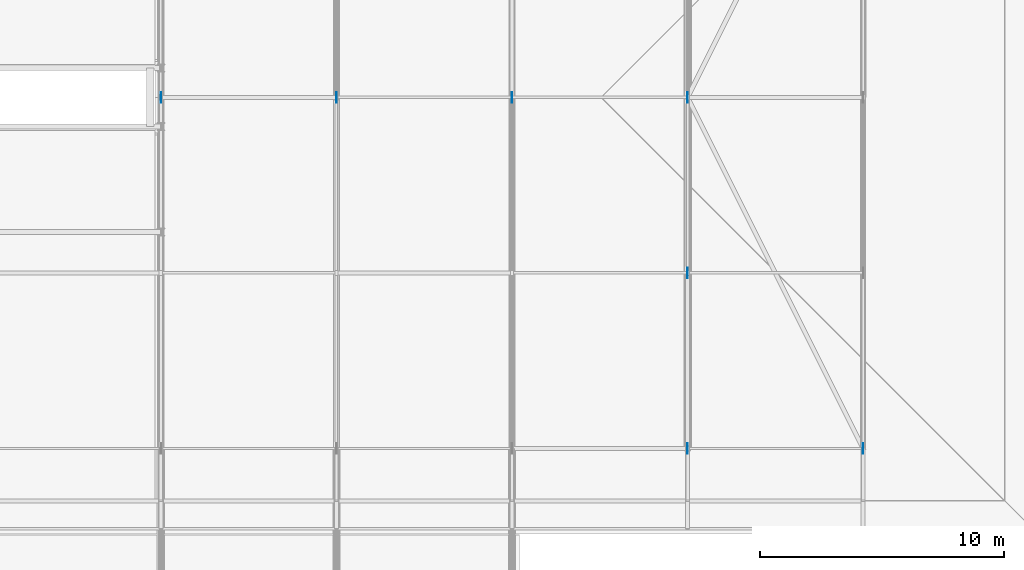
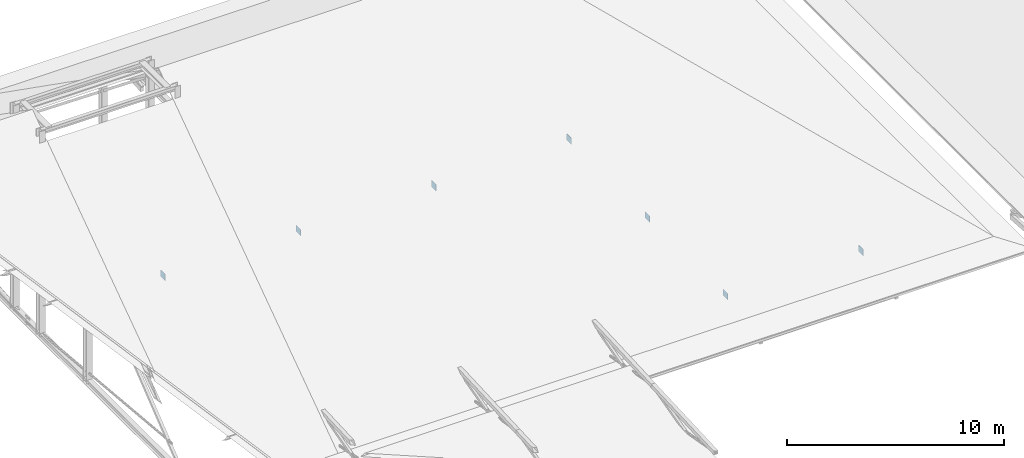
# One storey, part 62 of 100: 7 plates.
"""IFC4 building model written with IfcOpenShell, lengths in metres."""

import ifcopenshell
import ifcopenshell.guid

model = None  # the IFC model being written
_history = None  # IfcOwnerHistory: only IFC2X3 demands one
_inside = {}  # id of a spatial element -> (the spatial element, [elements in it])
_under = {}  # id of a project, library or spatial element -> (it, [spatial elements below it])
_declared = {}  # id of a project -> (the project, [libraries it declares])
_typed = {}  # id of a type object -> (the type object, [elements of that type])
_made_of = {}  # id of a material, layer set ... -> (it, [elements and type objects made of it])


def new_model(schema):
    """Start an empty IFC model of exactly this schema.

    Asked for "IFC4X3", IfcOpenShell would pick the latest addendum, in which some entities
    have other attributes; the version numbers below select the first issue.
    IFC2X3 requires an IfcOwnerHistory on every rooted entity: one is made here for all.
    """
    global model, _history
    if schema == "IFC4X3":
        model = ifcopenshell.file(schema_version=(4, 3, 0, 0))
    else:
        model = ifcopenshell.file(schema=schema)
    _inside.clear()
    _under.clear()
    _declared.clear()
    _typed.clear()
    _made_of.clear()
    _history = None
    if model.schema == "IFC2X3":
        org = make("IfcOrganization", Name="unknown")
        user = make(
            "IfcPersonAndOrganization",
            ThePerson=make("IfcPerson", FamilyName="unknown"),
            TheOrganization=org,
        )
        app = make(
            "IfcApplication",
            ApplicationDeveloper=org,
            Version="unknown",
            ApplicationFullName="unknown",
            ApplicationIdentifier="unknown",
        )
        _history = make(
            "IfcOwnerHistory",
            OwningUser=user,
            OwningApplication=app,
            ChangeAction="ADDED",
            CreationDate=0,
        )
    return model


def make(cls, **values):
    """One entity of the class cls with the attributes given. An attribute that is None is left unset."""
    return model.create_entity(
        cls, **{name: value for name, value in values.items() if value is not None}
    )


def rooted(cls, **values):
    """An entity with a GlobalId (a new one), such as an element, a storey or a relation."""
    return make(cls, GlobalId=ifcopenshell.guid.new(), OwnerHistory=_history, **values)


def si_unit(unit_type, name, prefix=None):
    """IfcSIUnit, for example si_unit("LENGTHUNIT", "METRE", prefix="MILLI")."""
    return make("IfcSIUnit", UnitType=unit_type, Prefix=prefix, Name=name)


def assignment(units):
    """IfcUnitAssignment: the units of a project."""
    return None if units is None else make("IfcUnitAssignment", Units=units)


def point(xyz):
    """IfcCartesianPoint."""
    return None if xyz is None else make("IfcCartesianPoint", Coordinates=xyz)


def direction(xyz):
    """IfcDirection."""
    return None if xyz is None else make("IfcDirection", DirectionRatios=xyz)


def frame(location, z_axis=None, x_axis=None):
    """IfcAxis2Placement3D, a coordinate frame: its origin and axes. An axis left out is left unset."""
    return make(
        "IfcAxis2Placement3D",
        Location=point(location),
        Axis=direction(z_axis),
        RefDirection=direction(x_axis),
    )


def frame_2d(location, x_axis=None):
    """IfcAxis2Placement2D, a coordinate frame in the plane: its origin and x axis."""
    return make(
        "IfcAxis2Placement2D", Location=point(location), RefDirection=direction(x_axis)
    )


def origin():
    """The frame at (0, 0, 0) with its axes left unset."""
    return frame((0.0, 0.0, 0.0))


def origin_2d():
    """The frame at (0, 0) in the plane with its x axis left unset."""
    return frame_2d((0.0, 0.0))


def place(relative_to, where):
    """IfcLocalPlacement: puts the frame where relative to a parent placement (None: the world)."""
    return make(
        "IfcLocalPlacement", PlacementRelTo=relative_to, RelativePlacement=where
    )


def context(
    kind, dimensions, precision=None, world=None, true_north=None, identifier=None
):
    """IfcGeometricRepresentationContext, for example the 3D "Model" context."""
    return make(
        "IfcGeometricRepresentationContext",
        ContextIdentifier=identifier,
        ContextType=kind,
        CoordinateSpaceDimension=dimensions,
        Precision=precision,
        WorldCoordinateSystem=world,
        TrueNorth=true_north,
    )


def subcontext(parent, identifier, kind, view, scale=None):
    """IfcGeometricRepresentationSubContext, for example "Body" below "Model"."""
    return make(
        "IfcGeometricRepresentationSubContext",
        ContextIdentifier=identifier,
        ContextType=kind,
        ParentContext=parent,
        TargetScale=scale,
        TargetView=view,
    )


def project(units=None, contexts=None):
    """IfcProject with its units and contexts."""
    return rooted(
        "IfcProject",
        Name="project",
        RepresentationContexts=contexts,
        UnitsInContext=assignment(units),
    )


def spatial(cls, under=None, at=None, **own):
    """A site, building, storey or space (cls), placed at a placement, below another one or the project."""
    s = rooted(cls, ObjectPlacement=at, **own)
    if under is not None:
        _under.setdefault(under.id(), (under, []))[1].append(s)
    return s


def profile(cls, at=None, kind="AREA", **sizes):
    """A parametric profile (cls). Its sizes go by their IFC names, for example OverallWidth=200.0."""
    return make(cls, ProfileType=kind, Position=at, **sizes)


def rectangle(**sizes):
    """IfcRectangleProfileDef."""
    return profile("IfcRectangleProfileDef", **sizes)


def extrude(swept, where, along, depth):
    """IfcExtrudedAreaSolid: the profile swept, set in the frame where, extruded along a direction by depth."""
    return make(
        "IfcExtrudedAreaSolid",
        SweptArea=swept,
        Position=where,
        ExtrudedDirection=direction(along),
        Depth=depth,
    )


def shape(context_of_items, identifier, shape_type, items):
    """IfcShapeRepresentation: the items that make up one representation, for example the "Body"."""
    return make(
        "IfcShapeRepresentation",
        ContextOfItems=context_of_items,
        RepresentationIdentifier=identifier,
        RepresentationType=shape_type,
        Items=items,
    )


def material(Name=None, Category=None):
    """IfcMaterial."""
    return make("IfcMaterial", Name=Name, Category=Category)


def layer(
    of_material, thickness, ventilated=None, Name=None, Category=None, Priority=None
):
    """IfcMaterialLayer: one layer of a wall or slab, of a material (None: an air gap)."""
    return make(
        "IfcMaterialLayer",
        Material=of_material,
        LayerThickness=thickness,
        IsVentilated=ventilated,
        Name=Name,
        Category=Category,
        Priority=Priority,
    )


def layer_set(layers, Name=None):
    """IfcMaterialLayerSet."""
    return make("IfcMaterialLayerSet", MaterialLayers=layers, LayerSetName=Name)


def made_of(thing, what):
    """Note that an element or type object is made of a material, layer set ...; save() writes the relation."""
    if what is not None:
        _made_of.setdefault(what.id(), (what, []))[1].append(thing)
    return thing


def type_object(cls, material=None, **own):
    """A type object (cls), such as IfcWallType, which elements share."""
    return made_of(rooted(cls, **own), material)


def element(
    cls,
    number,
    at=None,
    inside=None,
    cuts=None,
    type_object=None,
    material=None,
    context=None,
    identifier="Body",
    shape_type=None,
    held_by="IfcProductDefinitionShape",
    body=None,
    shapes=None,
    **own,
):
    """One element of the class cls, such as IfcWall. Its Tag is "e" and its number.

    at: its placement. inside: the storey or other place that contains it. cuts: it is an
    opening in that element (IfcRelVoidsElement). A single representation is given by context,
    identifier, shape_type and body (its items); several are given by shapes. held_by: the class
    of the entity that holds the representations. save() writes the other relations.
    """
    e = rooted(cls, Tag="e%d" % number, ObjectPlacement=at, **own)
    if body is not None:
        shapes = [shape(context, identifier, shape_type, body)]
    if shapes is not None:
        e.Representation = make(held_by, Representations=shapes)
    if inside is not None:
        _inside.setdefault(inside.id(), (inside, []))[1].append(e)
    if cuts is not None:
        rooted(
            "IfcRelVoidsElement", RelatingBuildingElement=cuts, RelatedOpeningElement=e
        )
    if type_object is not None:
        _typed.setdefault(type_object.id(), (type_object, []))[1].append(e)
    return made_of(e, material)


def aggregate(whole, parts):
    """IfcRelAggregates: a whole, such as a stair, and the parts it consists of."""
    return rooted("IfcRelAggregates", RelatingObject=whole, RelatedObjects=parts)


def save(model, path):
    """Write the relations noted so far, then the file.

    IfcRelAggregates (storeys below a building ...), IfcRelContainedInSpatialStructure (elements
    in a storey), IfcRelDefinesByType, IfcRelAssociatesMaterial and IfcRelDeclares: one each for
    every whole, place, type object, material and project.
    """
    for whole, parts in _under.values():
        aggregate(whole, parts)
    for where, things in _inside.values():
        rooted(
            "IfcRelContainedInSpatialStructure",
            RelatedElements=things,
            RelatingStructure=where,
        )
    for kind, things in _typed.values():
        rooted("IfcRelDefinesByType", RelatedObjects=things, RelatingType=kind)
    for what, things in _made_of.values():
        rooted("IfcRelAssociatesMaterial", RelatedObjects=things, RelatingMaterial=what)
    for by, libraries in _declared.values():
        rooted("IfcRelDeclares", RelatingContext=by, RelatedDefinitions=libraries)
    model.write(path)


model = new_model("IFC4")

# Units and contexts
model_context = context("Model", 3, precision=1e-05, world=origin(), true_north=direction((0.0, 1.0)))
body_context = subcontext(model_context, "Body", "Model", "MODEL_VIEW")
ifc_project = project(units=[si_unit("LENGTHUNIT", "METRE"), si_unit("AREAUNIT", "SQUARE_METRE"), si_unit("VOLUMEUNIT", "CUBIC_METRE"), si_unit("PLANEANGLEUNIT", "RADIAN"), si_unit("MASSUNIT", "GRAM", prefix="KILO")], contexts=[model_context])

# Site, building, storey
site_placement = place(None, origin())
site = spatial("IfcSite", under=ifc_project, at=site_placement, CompositionType="ELEMENT")
building_placement = place(site_placement, origin())
building = spatial("IfcBuilding", under=site, at=building_placement, Name="Steenspoor Specialist Clinic", CompositionType="ELEMENT")
storey_placement = place(building_placement, frame((0.0, 0.0, 9.0)))
storey = spatial("IfcBuildingStorey", under=building, at=storey_placement, Name="L02", CompositionType="ELEMENT", Elevation=9.0)

# Plates
ifc_material = material(Name="Steel A572 Grade 50", Category="steel")
ifc_layer_1 = layer(ifc_material, 0.010009765625)
ifc_layer_set_1 = layer_set([ifc_layer_1], Name="Steel A572 Grade 50")
plate_type_1 = type_object("IfcPlateType", Name="PL-CAP-10", PredefinedType="SHEET", material=ifc_layer_set_1)
plate_placement = place(storey_placement, frame((102.800048828125, 13.050048828125, 0.19140625), z_axis=(0.0, 0.0, 1.0), x_axis=(1.0, 0.0, 0.0)))
element("IfcPlate", 1, at=plate_placement, inside=storey, type_object=plate_type_1, Name="Truss Gusset Plate GP-10", PredefinedType="SHEET", context=body_context, shape_type="SweptSolid", body=[
    extrude(rectangle(XDim=0.010009765625, YDim=0.419921875, at=origin_2d()), origin(), (0.0, 0.0, 1.0), 0.360107421875),
])
ifc_layer_2 = layer(ifc_material, 0.01611328125)
ifc_layer_set_2 = layer_set([ifc_layer_2], Name="Steel A572 Grade 50")
plate_type_2 = type_object("IfcPlateType", Name="PL-GUS-16", PredefinedType="SHEET", material=ifc_layer_set_2)
for number, where, z_axis, x_axis, name in (
    (2, (88.39990234375, 27.449951171875, 0.1015625), (0.0, 0.0, 1.0), (1.0, 0.0, 0.0), "Truss Gusset Plate GP-16"),
    (3, (102.800048828125, 20.25, 0.19140625), (0.0, 0.0, 1.0), (1.0, 0.0, 0.0), "Truss Gusset Plate GP-16"),
):
    element("IfcPlate", number, at=place(storey_placement, frame(where, z_axis=z_axis, x_axis=x_axis)), inside=storey, type_object=plate_type_2, Name=name, PredefinedType="SHEET", context=body_context, shape_type="SweptSolid", body=[
        extrude(rectangle(XDim=0.01611328125, YDim=0.419921875, at=origin_2d()), origin(), (0.0, 0.0, 1.0), 0.360107421875),
    ])
ifc_layer_3 = layer(ifc_material, 0.02392578125)
ifc_layer_set_3 = layer_set([ifc_layer_3], Name="Steel A572 Grade 50")
plate_type_3 = type_object("IfcPlateType", Name="PL-GUS-24", PredefinedType="SHEET", material=ifc_layer_set_3)
for number, where, z_axis, x_axis, name in (
    (4, (102.800048828125, 27.449951171875, 0.19140625), (0.0, 0.0, 1.0), (1.0, 0.0, 0.0), "Truss Gusset Plate GP-24"),
    (5, (110.0, 13.050048828125, 0.15283203125), (0.0, 0.0, 1.0), (1.0, 0.0, 0.0), "Truss Gusset Plate GP-24"),
):
    element("IfcPlate", number, at=place(storey_placement, frame(where, z_axis=z_axis, x_axis=x_axis)), inside=storey, type_object=plate_type_3, Name=name, PredefinedType="SHEET", context=body_context, shape_type="SweptSolid", body=[
        extrude(rectangle(XDim=0.02392578125, YDim=0.419921875, at=origin_2d()), origin(), (0.0, 0.0, 1.0), 0.360107421875),
    ])
ifc_layer_4 = layer(ifc_material, 0.028076171875)
ifc_layer_set_4 = layer_set([ifc_layer_4], Name="Steel A572 Grade 50")
plate_type_4 = type_object("IfcPlateType", Name="PL-SHOE-28", PredefinedType="SHEET", material=ifc_layer_set_4)
for number, where, z_axis, x_axis, name in (
    (6, (81.199951171875, 27.449951171875, 0.1015625), (0.0, 0.0, 1.0), (1.0, 0.0, 0.0), "Truss Gusset Plate GP-28"),
    (7, (95.60009765625, 27.449951171875, 0.1015625), (0.0, 0.0, 1.0), (1.0, 0.0, 0.0), "Truss Gusset Plate GP-28"),
):
    element("IfcPlate", number, at=place(storey_placement, frame(where, z_axis=z_axis, x_axis=x_axis)), inside=storey, type_object=plate_type_4, Name=name, PredefinedType="SHEET", context=body_context, shape_type="SweptSolid", body=[
        extrude(rectangle(XDim=0.028076171875, YDim=0.419921875, at=origin_2d()), origin(), (0.0, 0.0, 1.0), 0.360107421875),
    ])

save(model, "model.ifc")
